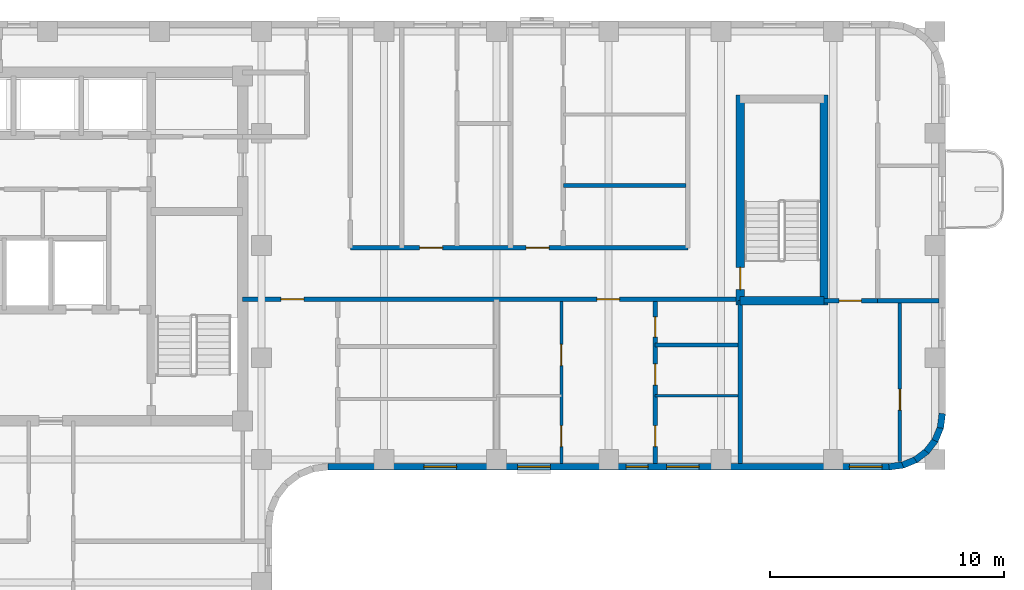
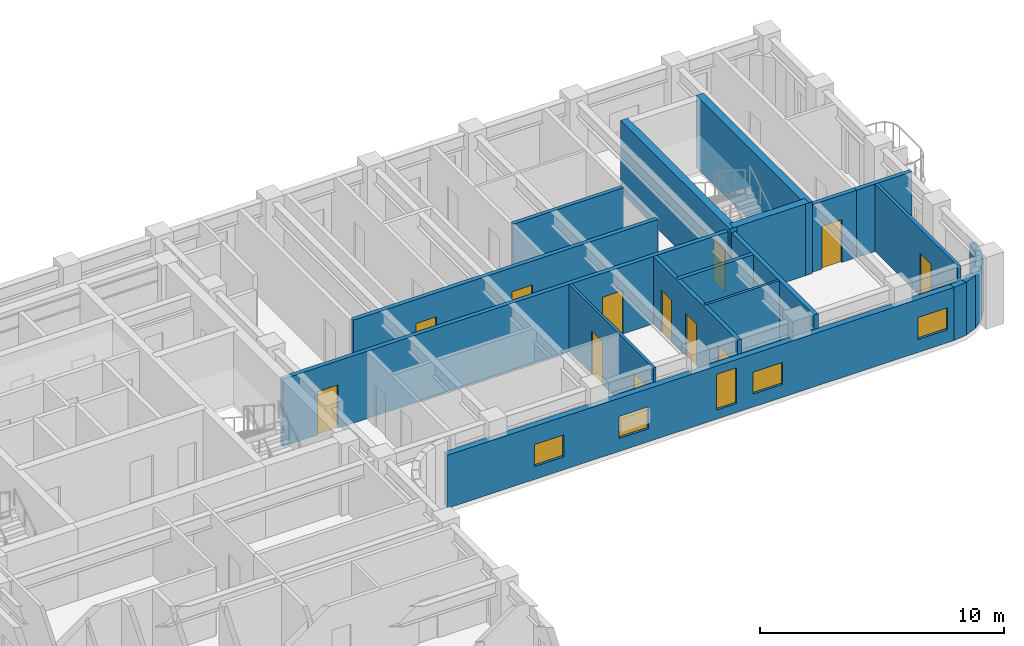
# One storey, part 5 of 10: 21 walls, 12 doors, 5 windows, 17 openings.
"""IFC4 building model written with IfcOpenShell, lengths in metres."""

from ifc_helpers import new_model, si_unit, direction, frame, frame_2d, origin, place, context, subcontext, project, spatial, rectangle, extrude, material, layer, layer_set, type_object, element, fill, save


model = new_model("IFC4")

# Units and contexts
model_context = context("Model", 3, precision=1e-05, world=origin(), true_north=direction((0.0, 1.0)))
body_context = subcontext(model_context, "Body", "Model", "MODEL_VIEW")
ifc_project = project(units=[si_unit("LENGTHUNIT", "METRE"), si_unit("AREAUNIT", "SQUARE_METRE"), si_unit("VOLUMEUNIT", "CUBIC_METRE"), si_unit("PLANEANGLEUNIT", "RADIAN"), si_unit("MASSUNIT", "GRAM", prefix="KILO")], contexts=[model_context])

# Site, building, storey
site_placement = place(None, origin())
site = spatial("IfcSite", under=ifc_project, at=site_placement, CompositionType="ELEMENT")
building_placement = place(site_placement, origin())
building = spatial("IfcBuilding", under=site, at=building_placement, Name="Orvandelia Arch Residences", CompositionType="ELEMENT")
storey_placement = place(building_placement, frame((0.0, 0.0, 221.800048828125)))
storey = spatial("IfcBuildingStorey", under=building, at=storey_placement, Name="L58", CompositionType="ELEMENT", Elevation=221.800048828125)

# Wall, opening, door
ifc_material_1 = material(Name="Concrete C50/60", Category="concrete")
ifc_layer_1 = layer(ifc_material_1, 0.35009765625, Name="Concrete C50/60", Category="concrete")
ifc_layer_set_1 = layer_set([ifc_layer_1], Name="Concrete C50/60")
wall_type_1 = type_object("IfcWallType", Name="WL-CORE-350", PredefinedType="SHEAR", material=ifc_layer_set_1)
wall_1_placement = place(storey_placement, frame((44.02001953125, 35.864990234375, 0.0), z_axis=(0.0, 0.0, 1.0), x_axis=(0.0, 1.0, 0.0)))
wall_1 = element("IfcWall", 1, at=wall_1_placement, inside=storey, type_object=wall_type_1, Name="East Stair Core Shear Wall L58-W", PredefinedType="SHEAR", context=body_context, shape_type="SweptSolid", body=[
    extrude(rectangle(XDim=8.969970703125, YDim=0.35009765625, at=frame_2d((4.48486328125, 0.0))), origin(), (0.0, 0.0, 1.0), 3.599853515625),
])
opening_1_placement = place(wall_1_placement, frame((0.64990234375, 0.0, 0.0)))
opening_1 = element("IfcOpeningElement", 2, at=opening_1_placement, cuts=wall_1, Name="Opening D7", PredefinedType="OPENING", context=body_context, shape_type="SweptSolid", body=[
    extrude(rectangle(XDim=0.949951171875, YDim=2.10009765625, at=frame_2d((0.47509765625, 1.050048828125))), frame((0.0, 0.18505859375, 0.0), z_axis=(0.0, -1.0, 0.0), x_axis=(1.0, 0.0, 0.0)), (0.0, 0.0, 1.0), 0.3701171875),
])
ifc_material_2 = material(Name="Pressurised Stairwell Fire Door")
door_type_1 = type_object("IfcDoorType", Name="DR-STAIR-950", OperationType="NOTDEFINED", PredefinedType="DOOR", material=ifc_material_2)
door_1_placement = place(opening_1_placement, origin())
door_1 = element("IfcDoor", 3, at=door_1_placement, inside=storey, type_object=door_type_1, Name="East Stairwell ST-3 Fire Door L58", OperationType="SINGLE_SWING_LEFT", OverallHeight=2.10009765625, OverallWidth=0.949951171875, PredefinedType="DOOR", context=body_context, shape_type="SweptSolid", body=[
    extrude(rectangle(XDim=0.949951171875, YDim=2.10009765625, at=frame_2d((0.47509765625, 1.050048828125))), frame((0.0, 0.02490234375, 0.0), z_axis=(0.0, -1.0, 0.0), x_axis=(1.0, 0.0, 0.0)), (0.0, 0.0, 1.0), 0.050048828125),
])
fill(opening_1, door_1)

# Walls
wall_2_placement = place(storey_placement, frame((47.60009765625, 35.864990234375, 0.0), z_axis=(0.0, 0.0, 1.0), x_axis=(0.0, 1.0, 0.0)))
element("IfcWall", 4, at=wall_2_placement, inside=storey, type_object=wall_type_1, Name="East Stair Core Shear Wall L58-E", PredefinedType="SHEAR", context=body_context, shape_type="SweptSolid", body=[
    extrude(rectangle(XDim=8.969970703125, YDim=0.35009765625, at=frame_2d((4.48486328125, 0.0))), origin(), (0.0, 0.0, 1.0), 3.599853515625),
])
wall_3_placement = place(storey_placement, frame((44.02001953125, 36.0400390625, 0.0), z_axis=(0.0, 0.0, 1.0), x_axis=(1.0, 0.0, 0.0)))
element("IfcWall", 5, at=wall_3_placement, inside=storey, type_object=wall_type_1, Name="East Stair Core Shear Wall L58-S", PredefinedType="SHEAR", context=body_context, shape_type="SweptSolid", body=[
    extrude(rectangle(XDim=3.580078125, YDim=0.35009765625, at=frame_2d((1.7900390625, 0.0))), origin(), (0.0, 0.0, 1.0), 3.599853515625),
])

# Wall, openings, doors
ifc_material_3 = material(Name="Fire-Rated Corridor Partition")
ifc_layer_2 = layer(ifc_material_3, 0.199951171875, Name="Fire-Rated Corridor Partition")
ifc_layer_set_2 = layer_set([ifc_layer_2], Name="Fire-Rated Corridor Partition")
wall_type_2 = type_object("IfcWallType", Name="WL-CORR-200", PredefinedType="PARTITIONING", material=ifc_layer_set_2)
wall_4_placement = place(storey_placement, frame((22.75, 36.10009765625, 0.0), z_axis=(0.0, 0.0, 1.0), x_axis=(1.0, 0.0, 0.0)))
wall_4 = element("IfcWall", 6, at=wall_4_placement, inside=storey, type_object=wall_type_2, Name="Interior Partition Wall WL-L58-EM-S1", PredefinedType="PARTITIONING", context=body_context, shape_type="SweptSolid", body=[
    extrude(rectangle(XDim=21.27001953125, YDim=0.199951171875, at=frame_2d((10.635009765625, 0.0))), origin(), (0.0, 0.0, 1.0), 3.3798828125),
])
opening_2_placement = place(wall_4_placement, frame((1.631591796875, 0.0, 0.0)))
opening_2 = element("IfcOpeningElement", 7, at=opening_2_placement, cuts=wall_4, Name="Opening D1", PredefinedType="OPENING", context=body_context, shape_type="SweptSolid", body=[
    extrude(rectangle(XDim=0.97998046875, YDim=2.179931640625, at=frame_2d((0.489990234375, 1.08984375))), frame((0.0, 0.10986328125, 0.0), z_axis=(0.0, -1.0, 0.0), x_axis=(1.0, 0.0, 0.0)), (0.0, 0.0, 1.0), 0.219970703125),
])
opening_3_placement = place(wall_4_placement, frame((15.140380859375, 0.0, 0.0)))
opening_3 = element("IfcOpeningElement", 8, at=opening_3_placement, cuts=wall_4, Name="Opening D1", PredefinedType="OPENING", context=body_context, shape_type="SweptSolid", body=[
    extrude(rectangle(XDim=0.97998046875, YDim=2.179931640625, at=frame_2d((0.489990234375, 1.08984375))), frame((0.0, 0.10986328125, 0.0), z_axis=(0.0, -1.0, 0.0), x_axis=(1.0, 0.0, 0.0)), (0.0, 0.0, 1.0), 0.219970703125),
])
ifc_material_4 = material(Name="Solid-Core Timber Acoustic Fire Door", Category="wood")
door_type_2 = type_object("IfcDoorType", Name="DR-ENT-980", OperationType="NOTDEFINED", PredefinedType="DOOR", material=ifc_material_4)
door_2_placement = place(opening_2_placement, origin())
door_2 = element("IfcDoor", 9, at=door_2_placement, inside=storey, type_object=door_type_2, Name="Unit L58-05 Entrance Door", OperationType="SINGLE_SWING_LEFT", OverallHeight=2.179931640625, OverallWidth=0.97998046875, PredefinedType="DOOR", context=body_context, shape_type="SweptSolid", body=[
    extrude(rectangle(XDim=0.97998046875, YDim=2.179931640625, at=frame_2d((0.489990234375, 1.08984375))), frame((0.0, 0.02490234375, 0.0), z_axis=(0.0, -1.0, 0.0), x_axis=(1.0, 0.0, 0.0)), (0.0, 0.0, 1.0), 0.050048828125),
])
fill(opening_2, door_2)
door_3_placement = place(opening_3_placement, origin())
door_3 = element("IfcDoor", 10, at=door_3_placement, inside=storey, type_object=door_type_2, Name="Unit L58-06 Entrance Door", OperationType="SINGLE_SWING_RIGHT", OverallHeight=2.179931640625, OverallWidth=0.97998046875, PredefinedType="DOOR", context=body_context, shape_type="SweptSolid", body=[
    extrude(rectangle(XDim=0.97998046875, YDim=2.179931640625, at=frame_2d((0.489990234375, 1.08984375))), frame((0.0, 0.02490234375, 0.0), z_axis=(0.0, -1.0, 0.0), x_axis=(1.0, 0.0, 0.0)), (0.0, 0.0, 1.0), 0.050048828125),
])
fill(opening_3, door_3)

wall_5_placement = place(storey_placement, frame((27.35009765625, 38.300048828125, 0.0), z_axis=(0.0, 0.0, 1.0), x_axis=(1.0, 0.0, 0.0)))
wall_5 = element("IfcWall", 11, at=wall_5_placement, inside=storey, type_object=wall_type_2, Name="Interior Partition Wall WL-L58-EM-N", PredefinedType="PARTITIONING", context=body_context, shape_type="SweptSolid", body=[
    extrude(rectangle(XDim=14.429931640625, YDim=0.199951171875, at=frame_2d((7.21484375, 0.0))), origin(), (0.0, 0.0, 1.0), 3.3798828125),
])
opening_4_placement = place(wall_5_placement, frame((2.969970703125, 0.0, 0.0)))
opening_4 = element("IfcOpeningElement", 12, at=opening_4_placement, cuts=wall_5, Name="Opening D1", PredefinedType="OPENING", context=body_context, shape_type="SweptSolid", body=[
    extrude(rectangle(XDim=0.97998046875, YDim=2.179931640625, at=frame_2d((0.489990234375, 1.08984375))), frame((0.0, 0.10986328125, 0.0), z_axis=(0.0, -1.0, 0.0), x_axis=(1.0, 0.0, 0.0)), (0.0, 0.0, 1.0), 0.219970703125),
])
opening_5_placement = place(wall_5_placement, frame((7.52001953125, 0.0, 0.0)))
opening_5 = element("IfcOpeningElement", 13, at=opening_5_placement, cuts=wall_5, Name="Opening D1", PredefinedType="OPENING", context=body_context, shape_type="SweptSolid", body=[
    extrude(rectangle(XDim=0.97998046875, YDim=2.179931640625, at=frame_2d((0.489990234375, 1.08984375))), frame((0.0, 0.10986328125, 0.0), z_axis=(0.0, -1.0, 0.0), x_axis=(1.0, 0.0, 0.0)), (0.0, 0.0, 1.0), 0.219970703125),
])
door_4_placement = place(opening_4_placement, origin())
door_4 = element("IfcDoor", 14, at=door_4_placement, inside=storey, type_object=door_type_2, Name="Unit L58-07 Entrance Door", OperationType="SINGLE_SWING_LEFT", OverallHeight=2.179931640625, OverallWidth=0.97998046875, PredefinedType="DOOR", context=body_context, shape_type="SweptSolid", body=[
    extrude(rectangle(XDim=0.97998046875, YDim=2.179931640625, at=frame_2d((0.489990234375, 1.08984375))), frame((0.0, 0.02490234375, 0.0), z_axis=(0.0, -1.0, 0.0), x_axis=(1.0, 0.0, 0.0)), (0.0, 0.0, 1.0), 0.050048828125),
])
fill(opening_4, door_4)
door_5_placement = place(opening_5_placement, origin())
door_5 = element("IfcDoor", 15, at=door_5_placement, inside=storey, type_object=door_type_2, Name="Unit L58-08 Entrance Door", OperationType="SINGLE_SWING_RIGHT", OverallHeight=2.179931640625, OverallWidth=0.97998046875, PredefinedType="DOOR", context=body_context, shape_type="SweptSolid", body=[
    extrude(rectangle(XDim=0.97998046875, YDim=2.179931640625, at=frame_2d((0.489990234375, 1.08984375))), frame((0.0, 0.02490234375, 0.0), z_axis=(0.0, -1.0, 0.0), x_axis=(1.0, 0.0, 0.0)), (0.0, 0.0, 1.0), 0.050048828125),
])
fill(opening_5, door_5)

# Wall, opening, door
wall_6_placement = place(storey_placement, frame((47.60009765625, 36.0400390625, 0.0), z_axis=(0.0, 0.0, 1.0), x_axis=(1.0, 0.0, 0.0)))
wall_6 = element("IfcWall", 16, at=wall_6_placement, inside=storey, type_object=wall_type_2, Name="Interior Partition Wall WL-L58-ETE-S", PredefinedType="PARTITIONING", context=body_context, shape_type="SweptSolid", body=[
    extrude(rectangle(XDim=2.2998046875, YDim=0.199951171875, at=frame_2d((1.14990234375, 0.0))), origin(), (0.0, 0.0, 1.0), 3.3798828125),
])
opening_6_placement = place(wall_6_placement, frame((0.64990234375, 0.0, 0.0)))
opening_6 = element("IfcOpeningElement", 17, at=opening_6_placement, cuts=wall_6, Name="Opening D2", PredefinedType="OPENING", context=body_context, shape_type="SweptSolid", body=[
    extrude(rectangle(XDim=0.949951171875, YDim=2.14990234375, at=frame_2d((0.47509765625, 1.074951171875))), frame((0.0, 0.10986328125, 0.0), z_axis=(0.0, -1.0, 0.0), x_axis=(1.0, 0.0, 0.0)), (0.0, 0.0, 1.0), 0.219970703125),
])
ifc_material_5 = material(Name="Solid-Core Timber Interior Fire Door", Category="wood")
door_type_3 = type_object("IfcDoorType", Name="DR-APT-950", OperationType="NOTDEFINED", PredefinedType="DOOR", material=ifc_material_5)
door_6_placement = place(opening_6_placement, origin())
door_6 = element("IfcDoor", 18, at=door_6_placement, inside=storey, type_object=door_type_3, Name="DR-L58-EMS3", OperationType="SINGLE_SWING_LEFT", OverallHeight=2.14990234375, OverallWidth=0.949951171875, PredefinedType="DOOR", context=body_context, shape_type="SweptSolid", body=[
    extrude(rectangle(XDim=0.949951171875, YDim=2.14990234375, at=frame_2d((0.47509765625, 1.074951171875))), frame((0.0, 0.02490234375, 0.0), z_axis=(0.0, -1.0, 0.0), x_axis=(1.0, 0.0, 0.0)), (0.0, 0.0, 1.0), 0.050048828125),
])
fill(opening_6, door_6)

# Walls
ifc_material_6 = material(Name="Concrete C40/50", Category="concrete")
ifc_layer_3 = layer(ifc_material_6, 0.199951171875, Name="Concrete C40/50", Category="concrete")
ifc_layer_set_3 = layer_set([ifc_layer_3], Name="Concrete C40/50")
wall_type_3 = type_object("IfcWallType", Name="WL-DEM-200", PredefinedType="SOLIDWALL", material=ifc_layer_set_3)
wall_7_placement = place(storey_placement, frame((44.02001953125, 29.080078125, 0.0), z_axis=(0.0, 0.0, 1.0), x_axis=(0.0, 1.0, 0.0)))
element("IfcWall", 19, at=wall_7_placement, inside=storey, type_object=wall_type_3, Name="Interior Partition Wall WL-L58-EMS3-W", PredefinedType="SOLIDWALL", context=body_context, shape_type="SweptSolid", body=[
    extrude(rectangle(XDim=6.9599609375, YDim=0.199951171875, at=frame_2d((3.47998046875, 0.0))), origin(), (0.0, 0.0, 1.0), 3.3798828125),
])
wall_8_placement = place(storey_placement, frame((49.89990234375, 36.0400390625, 0.0), z_axis=(0.0, 0.0, 1.0), x_axis=(1.0, 0.0, 0.0)))
element("IfcWall", 20, at=wall_8_placement, inside=storey, type_object=wall_type_3, Name="Interior Partition Wall WL-L58-EMS3-N2", PredefinedType="SOLIDWALL", context=body_context, shape_type="SweptSolid", body=[
    extrude(rectangle(XDim=2.6201171875, YDim=0.199951171875, at=frame_2d((1.31005859375, 0.0))), origin(), (0.0, 0.0, 1.0), 3.3798828125),
])
ifc_material_7 = material(Name="Precast concrete C40/50", Category="concrete")
ifc_layer_4 = layer(ifc_material_7, 0.280029296875, Name="Precast concrete C40/50", Category="concrete")
ifc_layer_set_4 = layer_set([ifc_layer_4], Name="Precast concrete C40/50")
wall_type_4 = type_object("IfcWallType", Name="WL-EXT-STONE-280", PredefinedType="STANDARD", material=ifc_layer_set_4)
wall_9_placement = place(storey_placement, frame((52.6611328125, 31.21826171875, 0.0), z_axis=(0.0, 0.0, 1.0), x_axis=(-0.130555323746, -0.9914410257, 0.0)))
element("IfcWall", 21, at=wall_9_placement, inside=storey, type_object=wall_type_4, Name="Coral-Limestone Precast Facade Wall L58-015", PredefinedType="STANDARD", context=body_context, shape_type="SweptSolid", body=[
    extrude(rectangle(XDim=0.62646484375, YDim=0.280029296875, at=frame_2d((0.313232421875, 0.0))), origin(), (0.0, 0.0, 1.0), 2.659912109375),
])
wall_10_placement = place(storey_placement, frame((52.5888671875, 30.63232421875, 0.0), z_axis=(0.0, 0.0, 1.0), x_axis=(-0.382787856107, -0.923836271867, 0.0)))
element("IfcWall", 22, at=wall_10_placement, inside=storey, type_object=wall_type_4, Name="Coral-Limestone Precast Facade Wall L58-016", PredefinedType="STANDARD", context=body_context, shape_type="SweptSolid", body=[
    extrude(rectangle(XDim=0.626220703125, YDim=0.280029296875, at=frame_2d((0.31298828125, 0.0))), origin(), (0.0, 0.0, 1.0), 2.659912109375),
])
for number, where, z_axis, x_axis, name in (
    (23, (52.367431640625, 30.085205078125, 0.0), (0.0, 0.0, 1.0), (-0.608693302629, -0.793405610854, 0.0), "Coral-Limestone Precast Facade Wall L58-017"),
    (24, (52.011962890625, 29.614013671875, 0.0), (0.0, 0.0, 1.0), (-0.793405610854, -0.608693302629, 0.0), "Coral-Limestone Precast Facade Wall L58-018"),
    (25, (51.54638671875, 29.250732421875, 0.0), (0.0, 0.0, 1.0), (-0.92389335771, -0.382650053678, 0.0), "Coral-Limestone Precast Facade Wall L58-019"),
):
    element("IfcWall", number, at=place(storey_placement, frame(where, z_axis=z_axis, x_axis=x_axis)), inside=storey, type_object=wall_type_4, Name=name, PredefinedType="STANDARD", context=body_context, shape_type="SweptSolid", body=[
        extrude(rectangle(XDim=0.62646484375, YDim=0.280029296875, at=frame_2d((0.313232421875, 0.0))), origin(), (0.0, 0.0, 1.0), 2.659912109375),
    ])
wall_11_placement = place(storey_placement, frame((51.0029296875, 29.0205078125, 0.0), z_axis=(0.0, 0.0, 1.0), x_axis=(-0.991447664465, -0.130504898859, 0.0)))
element("IfcWall", 26, at=wall_11_placement, inside=storey, type_object=wall_type_4, Name="Coral-Limestone Precast Facade Wall L58-020", PredefinedType="STANDARD", context=body_context, shape_type="SweptSolid", body=[
    extrude(rectangle(XDim=0.626708984375, YDim=0.280029296875, at=frame_2d((0.3134765625, 0.0))), origin(), (0.0, 0.0, 1.0), 2.659912109375),
])

# Wall, openings, windows
wall_12_placement = place(storey_placement, frame((50.39990234375, 28.93994140625, 0.0), z_axis=(0.0, 0.0, 1.0), x_axis=(-1.0, 0.0, 0.0)))
wall_12 = element("IfcWall", 27, at=wall_12_placement, inside=storey, type_object=wall_type_4, Name="Coral-Limestone Precast Facade Wall L58-021", PredefinedType="STANDARD", context=body_context, shape_type="SweptSolid", body=[
    extrude(rectangle(XDim=24.0, YDim=0.280029296875, at=frame_2d((12.0, 0.0))), origin(), (0.0, 0.0, 1.0), 2.659912109375),
])
opening_7_placement = place(wall_12_placement, frame((18.5, 0.0, 0.64990234375)))
opening_7 = element("IfcOpeningElement", 28, at=opening_7_placement, cuts=wall_12, Name="Opening W10", PredefinedType="OPENING", context=body_context, shape_type="SweptSolid", body=[
    extrude(rectangle(XDim=1.39990234375, YDim=1.10009765625, at=frame_2d((0.699951171875, 0.550048828125))), frame((0.0, 0.14990234375, 0.0), z_axis=(0.0, -1.0, 0.0), x_axis=(1.0, 0.0, 0.0)), (0.0, 0.0, 1.0), 0.300048828125),
])
opening_8_placement = place(wall_12_placement, frame((8.12939453125, 0.0, 0.64990234375)))
opening_8 = element("IfcOpeningElement", 29, at=opening_8_placement, cuts=wall_12, Name="Opening W10", PredefinedType="OPENING", context=body_context, shape_type="SweptSolid", body=[
    extrude(rectangle(XDim=1.39990234375, YDim=1.10009765625, at=frame_2d((0.699951171875, 0.550048828125))), frame((0.0, 0.14990234375, 0.0), z_axis=(0.0, -1.0, 0.0), x_axis=(1.0, 0.0, 0.0)), (0.0, 0.0, 1.0), 0.300048828125),
])
opening_9_placement = place(wall_12_placement, frame((14.489990234375, 0.0, 0.64990234375)))
opening_9 = element("IfcOpeningElement", 30, at=opening_9_placement, cuts=wall_12, Name="Opening W10", PredefinedType="OPENING", context=body_context, shape_type="SweptSolid", body=[
    extrude(rectangle(XDim=1.39990234375, YDim=1.10009765625, at=frame_2d((0.699951171875, 0.550048828125))), frame((0.0, 0.14990234375, 0.0), z_axis=(0.0, -1.0, 0.0), x_axis=(1.0, 0.0, 0.0)), (0.0, 0.0, 1.0), 0.300048828125),
])
opening_10_placement = place(wall_12_placement, frame((0.3076171875, 0.0, 0.64990234375)))
opening_10 = element("IfcOpeningElement", 31, at=opening_10_placement, cuts=wall_12, Name="Opening W10", PredefinedType="OPENING", context=body_context, shape_type="SweptSolid", body=[
    extrude(rectangle(XDim=1.39990234375, YDim=1.10009765625, at=frame_2d((0.699951171875, 0.550048828125))), frame((0.0, 0.14990234375, 0.0), z_axis=(0.0, -1.0, 0.0), x_axis=(1.0, 0.0, 0.0)), (0.0, 0.0, 1.0), 0.300048828125),
])
opening_11_placement = place(wall_12_placement, frame((10.3095703125, 0.0, 0.449951171875)))
opening_11 = element("IfcOpeningElement", 32, at=opening_11_placement, cuts=wall_12, Name="Opening W4", PredefinedType="OPENING", context=body_context, shape_type="SweptSolid", body=[
    extrude(rectangle(XDim=0.949951171875, YDim=1.800048828125, at=frame_2d((0.47509765625, 0.89990234375))), frame((0.0, 0.14990234375, 0.0), z_axis=(0.0, -1.0, 0.0), x_axis=(1.0, 0.0, 0.0)), (0.0, 0.0, 1.0), 0.300048828125),
])
ifc_material_8 = material(Name="Tempered Low-E Insulated Glazing", Category="glass")
window_type_1 = type_object("IfcWindowType", Name="WIN-CLR-1400x1100", PartitioningType="SINGLE_PANEL", PredefinedType="WINDOW", material=ifc_material_8)
window_1_placement = place(opening_7_placement, origin())
window_1 = element("IfcWindow", 33, at=window_1_placement, inside=storey, type_object=window_type_1, Name="Recessed Punched Window L58-013", OverallHeight=1.10009765625, OverallWidth=1.39990234375, PartitioningType="SINGLE_PANEL", PredefinedType="WINDOW", context=body_context, shape_type="SweptSolid", body=[
    extrude(rectangle(XDim=1.39990234375, YDim=1.10009765625, at=frame_2d((0.699951171875, 0.550048828125))), frame((0.0, 0.030029296875, 0.0), z_axis=(0.0, -1.0, 0.0), x_axis=(1.0, 0.0, 0.0)), (0.0, 0.0, 1.0), 0.06005859375),
])
fill(opening_7, window_1)
window_2_placement = place(opening_8_placement, origin())
window_2 = element("IfcWindow", 34, at=window_2_placement, inside=storey, type_object=window_type_1, Name="Recessed Punched Window L58-014", OverallHeight=1.10009765625, OverallWidth=1.39990234375, PartitioningType="SINGLE_PANEL", PredefinedType="WINDOW", context=body_context, shape_type="SweptSolid", body=[
    extrude(rectangle(XDim=1.39990234375, YDim=1.10009765625, at=frame_2d((0.699951171875, 0.550048828125))), frame((0.0, 0.030029296875, 0.0), z_axis=(0.0, -1.0, 0.0), x_axis=(1.0, 0.0, 0.0)), (0.0, 0.0, 1.0), 0.06005859375),
])
fill(opening_8, window_2)
window_3_placement = place(opening_9_placement, origin())
window_3 = element("IfcWindow", 35, at=window_3_placement, inside=storey, type_object=window_type_1, Name="Recessed Punched Window L58-015", OverallHeight=1.10009765625, OverallWidth=1.39990234375, PartitioningType="SINGLE_PANEL", PredefinedType="WINDOW", context=body_context, shape_type="SweptSolid", body=[
    extrude(rectangle(XDim=1.39990234375, YDim=1.10009765625, at=frame_2d((0.699951171875, 0.550048828125))), frame((0.0, 0.030029296875, 0.0), z_axis=(0.0, -1.0, 0.0), x_axis=(1.0, 0.0, 0.0)), (0.0, 0.0, 1.0), 0.06005859375),
])
fill(opening_9, window_3)
window_4_placement = place(opening_10_placement, origin())
window_4 = element("IfcWindow", 36, at=window_4_placement, inside=storey, type_object=window_type_1, Name="Recessed Punched Window L58-016", OverallHeight=1.10009765625, OverallWidth=1.39990234375, PartitioningType="SINGLE_PANEL", PredefinedType="WINDOW", context=body_context, shape_type="SweptSolid", body=[
    extrude(rectangle(XDim=1.39990234375, YDim=1.10009765625, at=frame_2d((0.699951171875, 0.550048828125))), frame((0.0, 0.030029296875, 0.0), z_axis=(0.0, -1.0, 0.0), x_axis=(1.0, 0.0, 0.0)), (0.0, 0.0, 1.0), 0.06005859375),
])
fill(opening_10, window_4)
window_type_2 = type_object("IfcWindowType", Name="WIN-RES-0950x1800", PartitioningType="SINGLE_PANEL", PredefinedType="WINDOW", material=ifc_material_8)
window_5_placement = place(opening_11_placement, origin())
window_5 = element("IfcWindow", 37, at=window_5_placement, inside=storey, type_object=window_type_2, Name="Recessed Punched Window L58-017", OverallHeight=1.800048828125, OverallWidth=0.949951171875, PartitioningType="SINGLE_PANEL", PredefinedType="WINDOW", context=body_context, shape_type="SweptSolid", body=[
    extrude(rectangle(XDim=0.949951171875, YDim=1.800048828125, at=frame_2d((0.47509765625, 0.89990234375))), frame((0.0, 0.030029296875, 0.0), z_axis=(0.0, -1.0, 0.0), x_axis=(1.0, 0.0, 0.0)), (0.0, 0.0, 1.0), 0.06005859375),
])
fill(opening_11, window_5)

# Wall, openings, doors
ifc_material_9 = material(Name="Lightweight Gypsum Stud Partition")
ifc_layer_5 = layer(ifc_material_9, 0.1201171875, Name="Lightweight Gypsum Stud Partition")
ifc_layer_set_5 = layer_set([ifc_layer_5], Name="Lightweight Gypsum Stud Partition")
wall_type_5 = type_object("IfcWallType", Name="WL-PART-120", PredefinedType="PARTITIONING", material=ifc_layer_set_5)
wall_13_placement = place(storey_placement, frame((36.375, 29.080078125, 0.0), z_axis=(0.0, 0.0, 1.0), x_axis=(0.0, 1.0, 0.0)))
wall_13 = element("IfcWall", 38, at=wall_13_placement, inside=storey, type_object=wall_type_5, Name="Interior Partition Wall WL-L58-U06-VB", PredefinedType="PARTITIONING", context=body_context, shape_type="SweptSolid", body=[
    extrude(rectangle(XDim=6.919921875, YDim=0.1201171875, at=frame_2d((3.4599609375, 0.0))), origin(), (0.0, 0.0, 1.0), 3.3798828125),
])
opening_12_placement = place(wall_13_placement, frame((0.71923828125, 0.0, 0.0)))
opening_12 = element("IfcOpeningElement", 39, at=opening_12_placement, cuts=wall_13, Name="Opening D3", PredefinedType="OPENING", context=body_context, shape_type="SweptSolid", body=[
    extrude(rectangle(XDim=0.89990234375, YDim=2.14990234375, at=frame_2d((0.449951171875, 1.074951171875))), frame((0.0, 0.070068359375, 0.0), z_axis=(0.0, -1.0, 0.0), x_axis=(1.0, 0.0, 0.0)), (0.0, 0.0, 1.0), 0.14013671875),
])
opening_13_placement = place(wall_13_placement, frame((4.188720703125, 0.0, 0.0)))
opening_13 = element("IfcOpeningElement", 40, at=opening_13_placement, cuts=wall_13, Name="Opening D3", PredefinedType="OPENING", context=body_context, shape_type="SweptSolid", body=[
    extrude(rectangle(XDim=0.89990234375, YDim=2.14990234375, at=frame_2d((0.449951171875, 1.074951171875))), frame((0.0, 0.070068359375, 0.0), z_axis=(0.0, -1.0, 0.0), x_axis=(1.0, 0.0, 0.0)), (0.0, 0.0, 1.0), 0.14013671875),
])
ifc_material_10 = material(Name="Engineered Timber Flush Door", Category="wood")
door_type_4 = type_object("IfcDoorType", Name="DR-INT-900", OperationType="NOTDEFINED", PredefinedType="DOOR", material=ifc_material_10)
door_7_placement = place(opening_12_placement, origin())
door_7 = element("IfcDoor", 41, at=door_7_placement, inside=storey, type_object=door_type_4, Name="DR-L58-U06-BD2", OperationType="SINGLE_SWING_LEFT", OverallHeight=2.14990234375, OverallWidth=0.89990234375, PredefinedType="DOOR", context=body_context, shape_type="SweptSolid", body=[
    extrude(rectangle(XDim=0.89990234375, YDim=2.14990234375, at=frame_2d((0.449951171875, 1.074951171875))), frame((0.0, 0.02490234375, 0.0), z_axis=(0.0, -1.0, 0.0), x_axis=(1.0, 0.0, 0.0)), (0.0, 0.0, 1.0), 0.050048828125),
])
fill(opening_12, door_7)
door_8_placement = place(opening_13_placement, origin())
door_8 = element("IfcDoor", 42, at=door_8_placement, inside=storey, type_object=door_type_4, Name="DR-L58-U06-STDY", OperationType="SINGLE_SWING_RIGHT", OverallHeight=2.14990234375, OverallWidth=0.89990234375, PredefinedType="DOOR", context=body_context, shape_type="SweptSolid", body=[
    extrude(rectangle(XDim=0.89990234375, YDim=2.14990234375, at=frame_2d((0.449951171875, 1.074951171875))), frame((0.0, 0.02490234375, 0.0), z_axis=(0.0, -1.0, 0.0), x_axis=(1.0, 0.0, 0.0)), (0.0, 0.0, 1.0), 0.050048828125),
])
fill(opening_13, door_8)

# Wall
wall_14_placement = place(storey_placement, frame((40.385986328125, 31.97509765625, 0.0), z_axis=(0.0, 0.0, 1.0), x_axis=(1.0, 0.0, 0.0)))
element("IfcWall", 43, at=wall_14_placement, inside=storey, type_object=wall_type_5, Name="Interior Partition Wall WL-L58-U06-H1", PredefinedType="PARTITIONING", context=body_context, shape_type="SweptSolid", body=[
    extrude(rectangle(XDim=3.533935546875, YDim=0.1201171875, at=frame_2d((1.76708984375, 0.0))), origin(), (0.0, 0.0, 1.0), 3.3798828125),
])

# Wall, opening, door
ifc_material_11 = material(Name="Acoustic Gypsum Stud Partition")
ifc_layer_6 = layer(ifc_material_11, 0.14990234375, Name="Acoustic Gypsum Stud Partition")
ifc_layer_set_6 = layer_set([ifc_layer_6], Name="Acoustic Gypsum Stud Partition")
wall_type_6 = type_object("IfcWallType", Name="WL-PART-150", PredefinedType="PARTITIONING", material=ifc_layer_set_6)
wall_15_placement = place(storey_placement, frame((50.85009765625, 29.159912109375, 0.0), z_axis=(0.0, 0.0, 1.0), x_axis=(0.0, 1.0, 0.0)))
wall_15 = element("IfcWall", 44, at=wall_15_placement, inside=storey, type_object=wall_type_6, Name="Interior Partition Wall WL-L58-EMS3-M", PredefinedType="PARTITIONING", context=body_context, shape_type="SweptSolid", body=[
    extrude(rectangle(XDim=6.880126953125, YDim=0.14990234375, at=frame_2d((3.43994140625, 0.0))), origin(), (0.0, 0.0, 1.0), 3.3798828125),
])
opening_14_placement = place(wall_15_placement, frame((2.199951171875, 0.0, 0.0)))
opening_14 = element("IfcOpeningElement", 45, at=opening_14_placement, cuts=wall_15, Name="Opening D3", PredefinedType="OPENING", context=body_context, shape_type="SweptSolid", body=[
    extrude(rectangle(XDim=0.89990234375, YDim=2.14990234375, at=frame_2d((0.449951171875, 1.074951171875))), frame((0.0, 0.0849609375, 0.0), z_axis=(0.0, -1.0, 0.0), x_axis=(1.0, 0.0, 0.0)), (0.0, 0.0, 1.0), 0.169921875),
])
door_9_placement = place(opening_14_placement, origin())
door_9 = element("IfcDoor", 46, at=door_9_placement, inside=storey, type_object=door_type_4, Name="DR-L58-EMS3M", OperationType="SINGLE_SWING_RIGHT", OverallHeight=2.14990234375, OverallWidth=0.89990234375, PredefinedType="DOOR", context=body_context, shape_type="SweptSolid", body=[
    extrude(rectangle(XDim=0.89990234375, YDim=2.14990234375, at=frame_2d((0.449951171875, 1.074951171875))), frame((0.0, 0.02490234375, 0.0), z_axis=(0.0, -1.0, 0.0), x_axis=(1.0, 0.0, 0.0)), (0.0, 0.0, 1.0), 0.050048828125),
])
fill(opening_14, door_9)

# Wall, openings, doors
ifc_material_12 = material(Name="Moisture-Resistant Plumbing Wall")
ifc_layer_7 = layer(ifc_material_12, 0.179931640625, Name="Moisture-Resistant Plumbing Wall")
ifc_layer_set_7 = layer_set([ifc_layer_7], Name="Moisture-Resistant Plumbing Wall")
wall_type_7 = type_object("IfcWallType", Name="WL-WET-180", PredefinedType="PLUMBINGWALL", material=ifc_layer_set_7)
wall_16_placement = place(storey_placement, frame((40.385986328125, 29.080078125, 0.0), z_axis=(0.0, 0.0, 1.0), x_axis=(0.0, 1.0, 0.0)))
wall_16 = element("IfcWall", 47, at=wall_16_placement, inside=storey, type_object=wall_type_7, Name="Interior Partition Wall WL-L58-U06-VT", PredefinedType="PLUMBINGWALL", context=body_context, shape_type="SweptSolid", body=[
    extrude(rectangle(XDim=6.919921875, YDim=0.179931640625, at=frame_2d((3.4599609375, 0.0))), origin(), (0.0, 0.0, 1.0), 3.3798828125),
])
opening_15_placement = place(wall_16_placement, frame((0.71923828125, 0.0, 0.0)))
opening_15 = element("IfcOpeningElement", 48, at=opening_15_placement, cuts=wall_16, Name="Opening D3", PredefinedType="OPENING", context=body_context, shape_type="SweptSolid", body=[
    extrude(rectangle(XDim=0.89990234375, YDim=2.14990234375, at=frame_2d((0.449951171875, 1.074951171875))), frame((0.0, 0.10009765625, 0.0), z_axis=(0.0, -1.0, 0.0), x_axis=(1.0, 0.0, 0.0)), (0.0, 0.0, 1.0), 0.199951171875),
])
opening_16_placement = place(wall_16_placement, frame((3.35546875, 0.0, 0.0)))
opening_16 = element("IfcOpeningElement", 49, at=opening_16_placement, cuts=wall_16, Name="Opening D3", PredefinedType="OPENING", context=body_context, shape_type="SweptSolid", body=[
    extrude(rectangle(XDim=0.89990234375, YDim=2.14990234375, at=frame_2d((0.449951171875, 1.074951171875))), frame((0.0, 0.10009765625, 0.0), z_axis=(0.0, -1.0, 0.0), x_axis=(1.0, 0.0, 0.0)), (0.0, 0.0, 1.0), 0.199951171875),
])
opening_17_placement = place(wall_16_placement, frame((5.406494140625, 0.0, 0.0)))
opening_17 = element("IfcOpeningElement", 50, at=opening_17_placement, cuts=wall_16, Name="Opening D4", PredefinedType="OPENING", context=body_context, shape_type="SweptSolid", body=[
    extrude(rectangle(XDim=0.860107421875, YDim=2.10009765625, at=frame_2d((0.43017578125, 1.050048828125))), frame((0.0, 0.10009765625, 0.0), z_axis=(0.0, -1.0, 0.0), x_axis=(1.0, 0.0, 0.0)), (0.0, 0.0, 1.0), 0.199951171875),
])
door_10_placement = place(opening_15_placement, origin())
door_10 = element("IfcDoor", 51, at=door_10_placement, inside=storey, type_object=door_type_4, Name="DR-L58-U06-BD1", OperationType="SINGLE_SWING_RIGHT", OverallHeight=2.14990234375, OverallWidth=0.89990234375, PredefinedType="DOOR", context=body_context, shape_type="SweptSolid", body=[
    extrude(rectangle(XDim=0.89990234375, YDim=2.14990234375, at=frame_2d((0.449951171875, 1.074951171875))), frame((0.0, 0.02490234375, 0.0), z_axis=(0.0, -1.0, 0.0), x_axis=(1.0, 0.0, 0.0)), (0.0, 0.0, 1.0), 0.050048828125),
])
fill(opening_15, door_10)
door_11_placement = place(opening_16_placement, origin())
door_11 = element("IfcDoor", 52, at=door_11_placement, inside=storey, type_object=door_type_4, Name="DR-L58-U06-KIT", OperationType="SINGLE_SWING_LEFT", OverallHeight=2.14990234375, OverallWidth=0.89990234375, PredefinedType="DOOR", context=body_context, shape_type="SweptSolid", body=[
    extrude(rectangle(XDim=0.89990234375, YDim=2.14990234375, at=frame_2d((0.449951171875, 1.074951171875))), frame((0.0, 0.02490234375, 0.0), z_axis=(0.0, -1.0, 0.0), x_axis=(1.0, 0.0, 0.0)), (0.0, 0.0, 1.0), 0.050048828125),
])
fill(opening_16, door_11)
ifc_material_13 = material(Name="Moisture-Sealed Timber Bathroom Door", Category="wood")
door_type_5 = type_object("IfcDoorType", Name="DR-WET-900", OperationType="NOTDEFINED", PredefinedType="DOOR", material=ifc_material_13)
door_12_placement = place(opening_17_placement, origin())
door_12 = element("IfcDoor", 53, at=door_12_placement, inside=storey, type_object=door_type_5, Name="DR-L58-U06-BTH", OperationType="SINGLE_SWING_RIGHT", OverallHeight=2.10009765625, OverallWidth=0.860107421875, PredefinedType="DOOR", context=body_context, shape_type="SweptSolid", body=[
    extrude(rectangle(XDim=0.860107421875, YDim=2.10009765625, at=frame_2d((0.43017578125, 1.050048828125))), frame((0.0, 0.02490234375, 0.0), z_axis=(0.0, -1.0, 0.0), x_axis=(1.0, 0.0, 0.0)), (0.0, 0.0, 1.0), 0.050048828125),
])
fill(opening_17, door_12)

# Walls
wall_17_placement = place(storey_placement, frame((40.385986328125, 34.14794921875, 0.0), z_axis=(0.0, 0.0, 1.0), x_axis=(1.0, 0.0, 0.0)))
element("IfcWall", 54, at=wall_17_placement, inside=storey, type_object=wall_type_7, Name="Interior Partition Wall WL-L58-U06-H2", PredefinedType="PLUMBINGWALL", context=body_context, shape_type="SweptSolid", body=[
    extrude(rectangle(XDim=3.533935546875, YDim=0.179931640625, at=frame_2d((1.76708984375, 0.0))), origin(), (0.0, 0.0, 1.0), 3.3798828125),
])
wall_18_placement = place(storey_placement, frame((36.4599609375, 40.962890625, 0.0), z_axis=(0.0, 0.0, 1.0), x_axis=(1.0, 0.0, 0.0)))
element("IfcWall", 55, at=wall_18_placement, inside=storey, type_object=wall_type_7, Name="Interior Partition Wall WL-L58-U08-H1", PredefinedType="PLUMBINGWALL", context=body_context, shape_type="SweptSolid", body=[
    extrude(rectangle(XDim=5.239990234375, YDim=0.179931640625, at=frame_2d((2.6201171875, 0.0))), origin(), (0.0, 0.0, 1.0), 3.3798828125),
])

save(model, "model.ifc")
